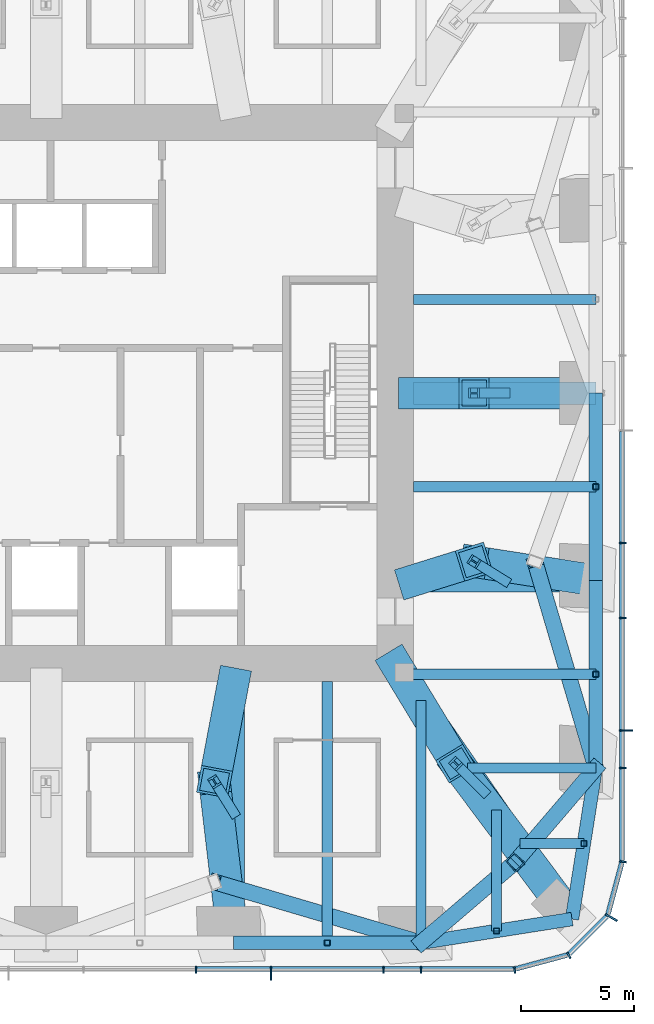
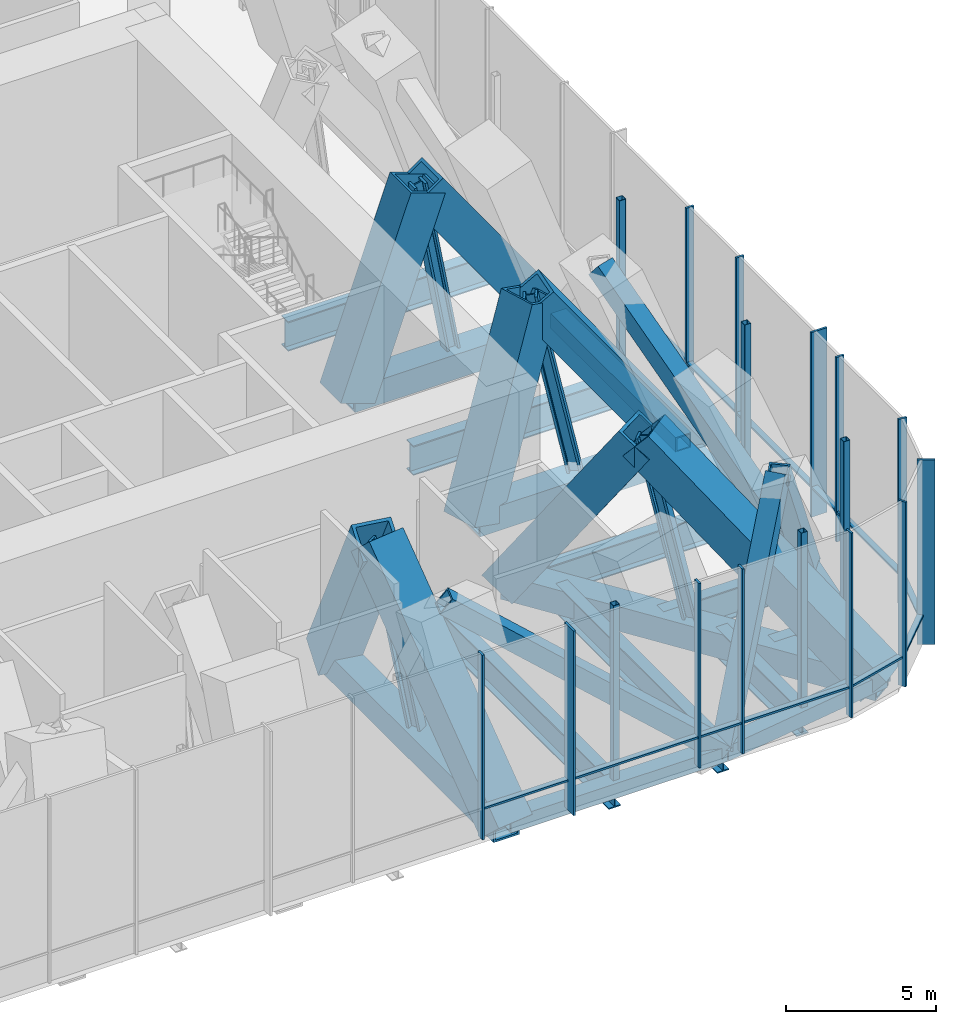
# One storey, part 5 of 16: 54 members, 8 beams, 3 elements without a shape of their own.
"""IFC4 building model written with IfcOpenShell, lengths in metres."""

import ifcopenshell
import ifcopenshell.guid

model = None  # the IFC model being written
_history = None  # IfcOwnerHistory: only IFC2X3 demands one
_inside = {}  # id of a spatial element -> (the spatial element, [elements in it])
_under = {}  # id of a project, library or spatial element -> (it, [spatial elements below it])
_declared = {}  # id of a project -> (the project, [libraries it declares])
_typed = {}  # id of a type object -> (the type object, [elements of that type])
_made_of = {}  # id of a material, layer set ... -> (it, [elements and type objects made of it])


def new_model(schema):
    """Start an empty IFC model of exactly this schema.

    Asked for "IFC4X3", IfcOpenShell would pick the latest addendum, in which some entities
    have other attributes; the version numbers below select the first issue.
    IFC2X3 requires an IfcOwnerHistory on every rooted entity: one is made here for all.
    """
    global model, _history
    if schema == "IFC4X3":
        model = ifcopenshell.file(schema_version=(4, 3, 0, 0))
    else:
        model = ifcopenshell.file(schema=schema)
    _inside.clear()
    _under.clear()
    _declared.clear()
    _typed.clear()
    _made_of.clear()
    _history = None
    if model.schema == "IFC2X3":
        org = make("IfcOrganization", Name="unknown")
        user = make(
            "IfcPersonAndOrganization",
            ThePerson=make("IfcPerson", FamilyName="unknown"),
            TheOrganization=org,
        )
        app = make(
            "IfcApplication",
            ApplicationDeveloper=org,
            Version="unknown",
            ApplicationFullName="unknown",
            ApplicationIdentifier="unknown",
        )
        _history = make(
            "IfcOwnerHistory",
            OwningUser=user,
            OwningApplication=app,
            ChangeAction="ADDED",
            CreationDate=0,
        )
    return model


def make(cls, **values):
    """One entity of the class cls with the attributes given. An attribute that is None is left unset."""
    return model.create_entity(
        cls, **{name: value for name, value in values.items() if value is not None}
    )


def rooted(cls, **values):
    """An entity with a GlobalId (a new one), such as an element, a storey or a relation."""
    return make(cls, GlobalId=ifcopenshell.guid.new(), OwnerHistory=_history, **values)


def si_unit(unit_type, name, prefix=None):
    """IfcSIUnit, for example si_unit("LENGTHUNIT", "METRE", prefix="MILLI")."""
    return make("IfcSIUnit", UnitType=unit_type, Prefix=prefix, Name=name)


def assignment(units):
    """IfcUnitAssignment: the units of a project."""
    return None if units is None else make("IfcUnitAssignment", Units=units)


def point(xyz):
    """IfcCartesianPoint."""
    return None if xyz is None else make("IfcCartesianPoint", Coordinates=xyz)


def direction(xyz):
    """IfcDirection."""
    return None if xyz is None else make("IfcDirection", DirectionRatios=xyz)


def frame(location, z_axis=None, x_axis=None):
    """IfcAxis2Placement3D, a coordinate frame: its origin and axes. An axis left out is left unset."""
    return make(
        "IfcAxis2Placement3D",
        Location=point(location),
        Axis=direction(z_axis),
        RefDirection=direction(x_axis),
    )


def frame_2d(location, x_axis=None):
    """IfcAxis2Placement2D, a coordinate frame in the plane: its origin and x axis."""
    return make(
        "IfcAxis2Placement2D", Location=point(location), RefDirection=direction(x_axis)
    )


def origin():
    """The frame at (0, 0, 0) with its axes left unset."""
    return frame((0.0, 0.0, 0.0))


def origin_2d():
    """The frame at (0, 0) in the plane with its x axis left unset."""
    return frame_2d((0.0, 0.0))


def place(relative_to, where):
    """IfcLocalPlacement: puts the frame where relative to a parent placement (None: the world)."""
    return make(
        "IfcLocalPlacement", PlacementRelTo=relative_to, RelativePlacement=where
    )


def context(
    kind, dimensions, precision=None, world=None, true_north=None, identifier=None
):
    """IfcGeometricRepresentationContext, for example the 3D "Model" context."""
    return make(
        "IfcGeometricRepresentationContext",
        ContextIdentifier=identifier,
        ContextType=kind,
        CoordinateSpaceDimension=dimensions,
        Precision=precision,
        WorldCoordinateSystem=world,
        TrueNorth=true_north,
    )


def subcontext(parent, identifier, kind, view, scale=None):
    """IfcGeometricRepresentationSubContext, for example "Body" below "Model"."""
    return make(
        "IfcGeometricRepresentationSubContext",
        ContextIdentifier=identifier,
        ContextType=kind,
        ParentContext=parent,
        TargetScale=scale,
        TargetView=view,
    )


def project(units=None, contexts=None):
    """IfcProject with its units and contexts."""
    return rooted(
        "IfcProject",
        Name="project",
        RepresentationContexts=contexts,
        UnitsInContext=assignment(units),
    )


def spatial(cls, under=None, at=None, **own):
    """A site, building, storey or space (cls), placed at a placement, below another one or the project."""
    s = rooted(cls, ObjectPlacement=at, **own)
    if under is not None:
        _under.setdefault(under.id(), (under, []))[1].append(s)
    return s


def profile(cls, at=None, kind="AREA", **sizes):
    """A parametric profile (cls). Its sizes go by their IFC names, for example OverallWidth=200.0."""
    return make(cls, ProfileType=kind, Position=at, **sizes)


def rectangle(**sizes):
    """IfcRectangleProfileDef."""
    return profile("IfcRectangleProfileDef", **sizes)


def hollow_rectangle(**sizes):
    """IfcRectangleHollowProfileDef."""
    return profile("IfcRectangleHollowProfileDef", **sizes)


def i_section(**sizes):
    """IfcIShapeProfileDef."""
    return profile("IfcIShapeProfileDef", **sizes)


def extrude(swept, where, along, depth):
    """IfcExtrudedAreaSolid: the profile swept, set in the frame where, extruded along a direction by depth."""
    return make(
        "IfcExtrudedAreaSolid",
        SweptArea=swept,
        Position=where,
        ExtrudedDirection=direction(along),
        Depth=depth,
    )


def shape(context_of_items, identifier, shape_type, items):
    """IfcShapeRepresentation: the items that make up one representation, for example the "Body"."""
    return make(
        "IfcShapeRepresentation",
        ContextOfItems=context_of_items,
        RepresentationIdentifier=identifier,
        RepresentationType=shape_type,
        Items=items,
    )


def material(Name=None, Category=None):
    """IfcMaterial."""
    return make("IfcMaterial", Name=Name, Category=Category)


def material_profile(
    of_material, cross_section, Name=None, Category=None, Priority=None
):
    """IfcMaterialProfile: a cross section and its material."""
    return make(
        "IfcMaterialProfile",
        Name=Name,
        Material=of_material,
        Profile=cross_section,
        Priority=Priority,
        Category=Category,
    )


def profile_set(profiles, Name=None, composite=None):
    """IfcMaterialProfileSet."""
    return make(
        "IfcMaterialProfileSet",
        Name=Name,
        MaterialProfiles=profiles,
        CompositeProfile=composite,
    )


def made_of(thing, what):
    """Note that an element or type object is made of a material, layer set ...; save() writes the relation."""
    if what is not None:
        _made_of.setdefault(what.id(), (what, []))[1].append(thing)
    return thing


def type_object(cls, material=None, **own):
    """A type object (cls), such as IfcWallType, which elements share."""
    return made_of(rooted(cls, **own), material)


def element(
    cls,
    number,
    at=None,
    inside=None,
    cuts=None,
    type_object=None,
    material=None,
    context=None,
    identifier="Body",
    shape_type=None,
    held_by="IfcProductDefinitionShape",
    body=None,
    shapes=None,
    **own,
):
    """One element of the class cls, such as IfcWall. Its Tag is "e" and its number.

    at: its placement. inside: the storey or other place that contains it. cuts: it is an
    opening in that element (IfcRelVoidsElement). A single representation is given by context,
    identifier, shape_type and body (its items); several are given by shapes. held_by: the class
    of the entity that holds the representations. save() writes the other relations.
    """
    e = rooted(cls, Tag="e%d" % number, ObjectPlacement=at, **own)
    if body is not None:
        shapes = [shape(context, identifier, shape_type, body)]
    if shapes is not None:
        e.Representation = make(held_by, Representations=shapes)
    if inside is not None:
        _inside.setdefault(inside.id(), (inside, []))[1].append(e)
    if cuts is not None:
        rooted(
            "IfcRelVoidsElement", RelatingBuildingElement=cuts, RelatedOpeningElement=e
        )
    if type_object is not None:
        _typed.setdefault(type_object.id(), (type_object, []))[1].append(e)
    return made_of(e, material)


def aggregate(whole, parts):
    """IfcRelAggregates: a whole, such as a stair, and the parts it consists of."""
    return rooted("IfcRelAggregates", RelatingObject=whole, RelatedObjects=parts)


def save(model, path):
    """Write the relations noted so far, then the file.

    IfcRelAggregates (storeys below a building ...), IfcRelContainedInSpatialStructure (elements
    in a storey), IfcRelDefinesByType, IfcRelAssociatesMaterial and IfcRelDeclares: one each for
    every whole, place, type object, material and project.
    """
    for whole, parts in _under.values():
        aggregate(whole, parts)
    for where, things in _inside.values():
        rooted(
            "IfcRelContainedInSpatialStructure",
            RelatedElements=things,
            RelatingStructure=where,
        )
    for kind, things in _typed.values():
        rooted("IfcRelDefinesByType", RelatedObjects=things, RelatingType=kind)
    for what, things in _made_of.values():
        rooted("IfcRelAssociatesMaterial", RelatedObjects=things, RelatingMaterial=what)
    for by, libraries in _declared.values():
        rooted("IfcRelDeclares", RelatingContext=by, RelatedDefinitions=libraries)
    model.write(path)


model = new_model("IFC4")

# Units and contexts
model_context = context("Model", 3, precision=1e-05, world=origin(), true_north=direction((0.0, 1.0)))
body_context = subcontext(model_context, "Body", "Model", "MODEL_VIEW")
ifc_project = project(units=[si_unit("LENGTHUNIT", "METRE"), si_unit("AREAUNIT", "SQUARE_METRE"), si_unit("VOLUMEUNIT", "CUBIC_METRE"), si_unit("PLANEANGLEUNIT", "RADIAN"), si_unit("MASSUNIT", "GRAM", prefix="KILO")], contexts=[model_context])

# Site, building, storey
site_placement = place(None, origin())
site = spatial("IfcSite", under=ifc_project, at=site_placement, CompositionType="ELEMENT")
building_placement = place(site_placement, origin())
building = spatial("IfcBuilding", under=site, at=building_placement, Name="Khuree Lantern Residences", CompositionType="ELEMENT")
storey_placement = place(building_placement, frame((0.0, 0.0, 278.25)))
storey = spatial("IfcBuildingStorey", under=building, at=storey_placement, Name="L70", CompositionType="ELEMENT", Elevation=278.25)

# Beams
ifc_material_1 = material(Name="Steel S355", Category="steel")
ifc_material_profile_1 = material_profile(ifc_material_1, i_section(OverallWidth=0.449951171875, OverallDepth=1.199951171875, WebThickness=0.02490234375, FlangeThickness=0.044921875, at=origin_2d()), Name="WELDED I 1200X450X25X45")
ifc_profile_set_1 = profile_set([ifc_material_profile_1], Name="Steel S355")
beam_type_1 = type_object("IfcBeamType", Name="B-70 SECONDARY BEAM WELDED I 1200X450X25X45", PredefinedType="BEAM", material=ifc_profile_set_1)
for number, where, z_axis, x_axis, name in (
    (1, (24.39990234375, 4.159912109375, -0.949951171875), (-1.0, 0.0, 0.0), (0.0, -1.0, 0.0), "Secondary beam E3"),
    (2, (24.39990234375, -4.159912109375, -0.949951171875), (-1.0, 0.0, 0.0), (0.0, -1.0, 0.0), "Secondary beam E4"),
):
    element("IfcBeam", number, at=place(storey_placement, frame(where, z_axis=z_axis, x_axis=x_axis)), inside=storey, type_object=beam_type_1, Name=name, PredefinedType="BEAM", context=body_context, shape_type="SweptSolid", body=[
        extrude(i_section(OverallWidth=0.449951171875, OverallDepth=1.199951171875, WebThickness=0.02490234375, FlangeThickness=0.044921875, at=origin_2d()), origin(), (0.0, 0.0, 1.0), 8.099853515625),
    ])
beam_1_placement = place(storey_placement, frame((24.39990234375, -12.47998046875, -0.949951171875), z_axis=(-1.0, 0.0, 0.0), x_axis=(0.0, -1.0, 0.0)))
element("IfcBeam", 3, at=beam_1_placement, inside=storey, type_object=beam_type_1, Name="Secondary beam E5", PredefinedType="BEAM", context=body_context, shape_type="SweptSolid", body=[
    extrude(i_section(OverallWidth=0.449951171875, OverallDepth=1.199951171875, WebThickness=0.02490234375, FlangeThickness=0.044921875, at=origin_2d()), origin(), (0.0, 0.0, 1.0), 8.56787109375),
])
beam_2_placement = place(storey_placement, frame((23.872802734375, -19.992919921875, -0.949951171875), z_axis=(-1.0, 0.0, 0.0), x_axis=(0.0, -1.0, 0.0)))
element("IfcBeam", 4, at=beam_2_placement, inside=storey, type_object=beam_type_1, Name="Secondary beam E6", PredefinedType="BEAM", context=body_context, shape_type="SweptSolid", body=[
    extrude(i_section(OverallWidth=0.449951171875, OverallDepth=1.199951171875, WebThickness=0.02490234375, FlangeThickness=0.044921875, at=origin_2d()), origin(), (0.0, 0.0, 1.0), 2.845703125),
])
beam_3_placement = place(storey_placement, frame((19.992919921875, -23.872802734375, -0.949951171875), z_axis=(0.0, 1.0, 0.0), x_axis=(-1.0, 0.0, 0.0)))
element("IfcBeam", 5, at=beam_3_placement, inside=storey, type_object=beam_type_1, Name="Secondary beam S1", PredefinedType="BEAM", context=body_context, shape_type="SweptSolid", body=[
    extrude(i_section(OverallWidth=0.449951171875, OverallDepth=1.199951171875, WebThickness=0.02490234375, FlangeThickness=0.044921875, at=origin_2d()), origin(), (0.0, 0.0, 1.0), 5.375732421875),
])
beam_4_placement = place(storey_placement, frame((12.47998046875, -24.39990234375, -0.949951171875), z_axis=(0.0, 1.0, 0.0), x_axis=(-1.0, 0.0, 0.0)))
element("IfcBeam", 6, at=beam_4_placement, inside=storey, type_object=beam_type_1, Name="Secondary beam S2", PredefinedType="BEAM", context=body_context, shape_type="SweptSolid", body=[
    extrude(i_section(OverallWidth=0.449951171875, OverallDepth=1.199951171875, WebThickness=0.02490234375, FlangeThickness=0.044921875, at=origin_2d()), origin(), (0.0, 0.0, 1.0), 11.599853515625),
])

# Members
ifc_material_profile_2 = material_profile(ifc_material_1, hollow_rectangle(XDim=0.699951171875, YDim=0.699951171875, WallThickness=0.06005859375, at=origin_2d()), Name="WELDED BOX 700X700X60")
ifc_profile_set_2 = profile_set([ifc_material_profile_2], Name="Steel S355")
member_type_1 = type_object("IfcMemberType", Name="BD-70 BELT TRUSS DIAGONAL WELDED BOX 700X700X60", PredefinedType="BRACE", material=ifc_profile_set_2)
member_1_placement = place(storey_placement, frame((21.699951171875, -7.47998046875, 6.949951171875), z_axis=(0.22122462626, -0.750531400006, -0.622705614509), x_axis=(0.959199239774, 0.282731000098, 0.0)))
element("IfcMember", 7, at=member_1_placement, inside=storey, type_object=member_type_1, Name="Belt truss diagonal E5", PredefinedType="BRACE", context=body_context, shape_type="SweptSolid", body=[
    extrude(hollow_rectangle(XDim=0.699951171875, YDim=0.699951171875, WallThickness=0.06005859375, at=origin_2d()), origin(), (0.0, 0.0, 1.0), 12.20458984375),
])
for number, where, z_axis, x_axis, name in (
    (8, (24.39990234375, -16.639892578125, -0.64990234375), (-0.381376760099, -0.445616030169, 0.809924762254), (0.759744864678, -0.650221301247, 0.0), "Belt truss diagonal E6"),
    (9, (20.8212890625, -20.8212890625, 6.949951171875), (-0.445616030169, -0.381376760099, -0.809924762254), (0.650221301247, -0.759744864678, 0.0), "Belt truss diagonal S1"),
):
    element("IfcMember", number, at=place(storey_placement, frame(where, z_axis=z_axis, x_axis=x_axis)), inside=storey, type_object=member_type_1, Name=name, PredefinedType="BRACE", context=body_context, shape_type="SweptSolid", body=[
        extrude(hollow_rectangle(XDim=0.699951171875, YDim=0.699951171875, WallThickness=0.06005859375, at=origin_2d()), origin(), (0.0, 0.0, 1.0), 9.38330078125),
    ])
member_2_placement = place(storey_placement, frame((16.639892578125, -24.39990234375, -0.64990234375), z_axis=(-0.750531400006, 0.22122462626, 0.622705614509), x_axis=(-0.282731000098, -0.959199239774, 0.0)))
element("IfcMember", 10, at=member_2_placement, inside=storey, type_object=member_type_1, Name="Belt truss diagonal S2", PredefinedType="BRACE", context=body_context, shape_type="SweptSolid", body=[
    extrude(hollow_rectangle(XDim=0.699951171875, YDim=0.699951171875, WallThickness=0.06005859375, at=origin_2d()), origin(), (0.0, 0.0, 1.0), 12.20458984375),
])
ifc_material_profile_3 = material_profile(ifc_material_1, hollow_rectangle(XDim=0.60009765625, YDim=0.60009765625, WallThickness=0.050048828125, at=origin_2d()), Name="WELDED BOX 600X600X50")
ifc_profile_set_3 = profile_set([ifc_material_profile_3], Name="Steel S355")
member_type_2 = type_object("IfcMemberType", Name="BT-70 BELT TRUSS CHORD WELDED BOX 600X600X50", PredefinedType="CHORD", material=ifc_profile_set_3)
member_3_placement = place(storey_placement, frame((24.39990234375, 0.0, -0.64990234375), z_axis=(0.0, -1.0, 0.0), x_axis=(1.0, 0.0, 0.0)))
element("IfcMember", 11, at=member_3_placement, inside=storey, type_object=member_type_2, Name="Belt truss chord E4", PredefinedType="CHORD", context=body_context, shape_type="SweptSolid", body=[
    extrude(hollow_rectangle(XDim=0.60009765625, YDim=0.60009765625, WallThickness=0.050048828125, at=origin_2d()), origin(), (0.0, 0.0, 1.0), 8.320068359375),
])
member_4_placement = place(storey_placement, frame((24.39990234375, -8.320068359375, -0.64990234375), z_axis=(0.0, -1.0, 0.0), x_axis=(1.0, 0.0, 0.0)))
element("IfcMember", 12, at=member_4_placement, inside=storey, type_object=member_type_2, Name="Belt truss chord E5", PredefinedType="CHORD", context=body_context, shape_type="SweptSolid", body=[
    extrude(hollow_rectangle(XDim=0.60009765625, YDim=0.60009765625, WallThickness=0.050048828125, at=origin_2d()), origin(), (0.0, 0.0, 1.0), 8.31982421875),
])
for number, where, z_axis, x_axis, name in (
    (13, (24.39990234375, -16.639892578125, -0.64990234375), (-0.155299507442, -0.98786743189, 0.0), (0.98786743189, -0.155299507442, 0.0), "Belt truss chord E6"),
    (14, (23.345703125, -23.345703125, -0.64990234375), (-0.98786743189, -0.155299507442, 0.0), (0.155299507442, -0.98786743189, 0.0), "Belt truss chord S1"),
):
    element("IfcMember", number, at=place(storey_placement, frame(where, z_axis=z_axis, x_axis=x_axis)), inside=storey, type_object=member_type_2, Name=name, PredefinedType="CHORD", context=body_context, shape_type="SweptSolid", body=[
        extrude(hollow_rectangle(XDim=0.60009765625, YDim=0.60009765625, WallThickness=0.050048828125, at=origin_2d()), origin(), (0.0, 0.0, 1.0), 6.7880859375),
    ])
member_5_placement = place(storey_placement, frame((16.639892578125, -24.39990234375, -0.64990234375), z_axis=(-1.0, 0.0, 0.0), x_axis=(0.0, -1.0, 0.0)))
element("IfcMember", 15, at=member_5_placement, inside=storey, type_object=member_type_2, Name="Belt truss chord S2", PredefinedType="CHORD", context=body_context, shape_type="SweptSolid", body=[
    extrude(hollow_rectangle(XDim=0.60009765625, YDim=0.60009765625, WallThickness=0.050048828125, at=origin_2d()), origin(), (0.0, 0.0, 1.0), 8.31982421875),
])

# Curtain wall, member
ifc_material_2 = material(Name="Bronze anodised aluminium", Category="aluminium")
curtain_wall_type = type_object("IfcCurtainWallType", Name="CW-G PLANT STOREY LOUVRED CURTAIN WALL", PredefinedType="USERDEFINED", material=ifc_material_2)
curtain_wall_1_placement = place(storey_placement, origin())
curtain_wall_1 = element("IfcCurtainWall", 16, at=curtain_wall_1_placement, inside=storey, type_object=curtain_wall_type, Name="L70 SOUTH-EAST CORNER CURTAIN WALL", ObjectType="Louvred curtain wall", PredefinedType="USERDEFINED")
ifc_material_profile_4 = material_profile(ifc_material_2, rectangle(XDim=0.080078125, YDim=0.60009765625, at=origin_2d()), Name="F2 80X600")
ifc_profile_set_4 = profile_set([ifc_material_profile_4], Name="Bronze anodised aluminium")
member_type_3 = type_object("IfcMemberType", Name="F2 BRONZE FIN MULLION PLANT 80X600", PredefinedType="MULLION", material=ifc_profile_set_4)
member_6_placement = place(storey_placement, frame((25.0869140625, -23.27490234375, 0.0), z_axis=(0.0, 0.0, 1.0), x_axis=(0.499999989586, 0.866025409797, 0.0)))
member_6 = element("IfcMember", 17, at=member_6_placement, type_object=member_type_3, Name="L70 SOUTH-EAST CORNER FIN MULLION 3", PredefinedType="MULLION", context=body_context, shape_type="SweptSolid", body=[
    extrude(rectangle(XDim=0.080078125, YDim=0.60009765625, at=origin_2d()), origin(), (0.0, 0.0, 1.0), 7.5),
])

curtain_wall_2_placement = place(storey_placement, origin())
curtain_wall_2 = element("IfcCurtainWall", 18, at=curtain_wall_2_placement, inside=storey, type_object=curtain_wall_type, Name="L70 EAST FACE CURTAIN WALL", ObjectType="Louvred curtain wall", PredefinedType="USERDEFINED")
member_7_placement = place(storey_placement, frame((25.75, -14.97607421875, 0.0), z_axis=(0.0, 0.0, 1.0), x_axis=(0.0, 1.0, 0.0)))
member_7 = element("IfcMember", 19, at=member_7_placement, type_object=member_type_3, Name="L70 EAST FACE FIN MULLION 6", PredefinedType="MULLION", context=body_context, shape_type="SweptSolid", body=[
    extrude(rectangle(XDim=0.080078125, YDim=0.60009765625, at=origin_2d()), origin(), (0.0, 0.0, 1.0), 7.5),
])

curtain_wall_3_placement = place(storey_placement, origin())
curtain_wall_3 = element("IfcCurtainWall", 20, at=curtain_wall_3_placement, inside=storey, type_object=curtain_wall_type, Name="L70 SOUTH FACE CURTAIN WALL", ObjectType="Louvred curtain wall", PredefinedType="USERDEFINED")
member_8_placement = place(storey_placement, frame((9.98388671875, -25.75, 0.0), z_axis=(0.0, 0.0, 1.0), x_axis=(1.0, 0.0, 0.0)))
member_8 = element("IfcMember", 21, at=member_8_placement, type_object=member_type_3, Name="L70 SOUTH FACE FIN MULLION 54", PredefinedType="MULLION", context=body_context, shape_type="SweptSolid", body=[
    extrude(rectangle(XDim=0.080078125, YDim=0.60009765625, at=origin_2d()), origin(), (0.0, 0.0, 1.0), 7.5),
])

# Beams
ifc_material_profile_5 = material_profile(ifc_material_1, i_section(OverallWidth=0.449951171875, OverallDepth=1.199951171875, WebThickness=0.02490234375, FlangeThickness=0.044921875, at=origin_2d()), Name="WELDED I 1200X450X25X45")
ifc_profile_set_5 = profile_set([ifc_material_profile_5], Name="Steel S355")
beam_type_2 = type_object("IfcBeamType", Name="G-70 GIRDER WELDED I 1200X450X25X45", PredefinedType="BEAM", material=ifc_profile_set_5)
beam_5_placement = place(storey_placement, frame((24.39990234375, -16.639892578125, -0.949951171875), z_axis=(-1.0, 0.0, 0.0), x_axis=(0.0, -1.0, 0.0)))
element("IfcBeam", 22, at=beam_5_placement, inside=storey, type_object=beam_type_2, Name="Girder E5", PredefinedType="BEAM", context=body_context, shape_type="SweptSolid", body=[
    extrude(i_section(OverallWidth=0.449951171875, OverallDepth=1.199951171875, WebThickness=0.02490234375, FlangeThickness=0.044921875, at=origin_2d()), origin(), (0.0, 0.0, 1.0), 5.69140625),
])
beam_6_placement = place(storey_placement, frame((16.639892578125, -24.39990234375, -0.949951171875), z_axis=(0.0, 1.0, 0.0), x_axis=(-1.0, 0.0, 0.0)))
element("IfcBeam", 23, at=beam_6_placement, inside=storey, type_object=beam_type_2, Name="Girder S1", PredefinedType="BEAM", context=body_context, shape_type="SweptSolid", body=[
    extrude(i_section(OverallWidth=0.449951171875, OverallDepth=1.199951171875, WebThickness=0.02490234375, FlangeThickness=0.044921875, at=origin_2d()), origin(), (0.0, 0.0, 1.0), 10.751220703125),
])

# Member
ifc_material_profile_6 = material_profile(ifc_material_2, rectangle(XDim=0.080078125, YDim=0.300048828125, at=origin_2d()), Name="M2 80X300")
ifc_profile_set_6 = profile_set([ifc_material_profile_6], Name="Bronze anodised aluminium")
member_type_4 = type_object("IfcMemberType", Name="MULLION M2 PLANT 80X300", PredefinedType="MULLION", material=ifc_profile_set_6)
member_9_placement = place(storey_placement, frame((20.80029296875, -25.601318359375, 0.0), z_axis=(0.0, 0.0, 1.0), x_axis=(0.991444862943, 0.130526180298, 0.0)))
member_9 = element("IfcMember", 24, at=member_9_placement, type_object=member_type_4, Name="L70 SOUTH-EAST CORNER MULLION 1", PredefinedType="MULLION", context=body_context, shape_type="SweptSolid", body=[
    extrude(rectangle(XDim=0.080078125, YDim=0.300048828125, at=origin_2d()), origin(), (0.0, 0.0, 1.0), 7.5),
])

member_10_placement = place(storey_placement, frame((23.199951171875, -24.95703125, 0.0), z_axis=(0.0, 0.0, 1.0), x_axis=(0.866025409797, 0.499999989586, 0.0)))
member_10 = element("IfcMember", 25, at=member_10_placement, type_object=member_type_4, Name="L70 SOUTH-EAST CORNER MULLION 2", PredefinedType="MULLION", context=body_context, shape_type="SweptSolid", body=[
    extrude(rectangle(XDim=0.080078125, YDim=0.300048828125, at=origin_2d()), origin(), (0.0, 0.0, 1.0), 7.5),
])

member_11_placement = place(storey_placement, frame((25.601318359375, -20.80029296875, 0.0), z_axis=(0.0, 0.0, 1.0), x_axis=(0.130526180298, 0.991444862943, 0.0)))
member_11 = element("IfcMember", 26, at=member_11_placement, type_object=member_type_4, Name="L70 EAST FACE MULLION 4", PredefinedType="MULLION", context=body_context, shape_type="SweptSolid", body=[
    extrude(rectangle(XDim=0.080078125, YDim=0.300048828125, at=origin_2d()), origin(), (0.0, 0.0, 1.0), 7.5),
])

member_12_placement = place(storey_placement, frame((25.60009765625, -16.639892578125, 0.0), z_axis=(0.0, 0.0, 1.0), x_axis=(0.0, 1.0, 0.0)))
member_12 = element("IfcMember", 27, at=member_12_placement, type_object=member_type_4, Name="L70 EAST FACE MULLION 5", PredefinedType="MULLION", context=body_context, shape_type="SweptSolid", body=[
    extrude(rectangle(XDim=0.080078125, YDim=0.300048828125, at=origin_2d()), origin(), (0.0, 0.0, 1.0), 7.5),
])

member_13_placement = place(storey_placement, frame((25.60009765625, -9.98388671875, 0.0), z_axis=(0.0, 0.0, 1.0), x_axis=(0.0, 1.0, 0.0)))
member_13 = element("IfcMember", 28, at=member_13_placement, type_object=member_type_4, Name="L70 EAST FACE MULLION 7", PredefinedType="MULLION", context=body_context, shape_type="SweptSolid", body=[
    extrude(rectangle(XDim=0.080078125, YDim=0.300048828125, at=origin_2d()), origin(), (0.0, 0.0, 1.0), 7.5),
])

member_14_placement = place(storey_placement, frame((25.60009765625, -6.656005859375, 0.0), z_axis=(0.0, 0.0, 1.0), x_axis=(0.0, 1.0, 0.0)))
member_14 = element("IfcMember", 29, at=member_14_placement, type_object=member_type_4, Name="L70 EAST FACE MULLION 8", PredefinedType="MULLION", context=body_context, shape_type="SweptSolid", body=[
    extrude(rectangle(XDim=0.080078125, YDim=0.300048828125, at=origin_2d()), origin(), (0.0, 0.0, 1.0), 7.5),
])

member_15_placement = place(storey_placement, frame((6.656005859375, -25.60009765625, 0.0), z_axis=(0.0, 0.0, 1.0), x_axis=(1.0, 0.0, 0.0)))
member_15 = element("IfcMember", 30, at=member_15_placement, type_object=member_type_4, Name="L70 SOUTH FACE MULLION 53", PredefinedType="MULLION", context=body_context, shape_type="SweptSolid", body=[
    extrude(rectangle(XDim=0.080078125, YDim=0.300048828125, at=origin_2d()), origin(), (0.0, 0.0, 1.0), 7.5),
])

member_16_placement = place(storey_placement, frame((14.97607421875, -25.60009765625, 0.0), z_axis=(0.0, 0.0, 1.0), x_axis=(1.0, 0.0, 0.0)))
member_16 = element("IfcMember", 31, at=member_16_placement, type_object=member_type_4, Name="L70 SOUTH FACE MULLION 55", PredefinedType="MULLION", context=body_context, shape_type="SweptSolid", body=[
    extrude(rectangle(XDim=0.080078125, YDim=0.300048828125, at=origin_2d()), origin(), (0.0, 0.0, 1.0), 7.5),
])

member_17_placement = place(storey_placement, frame((16.639892578125, -25.60009765625, 0.0), z_axis=(0.0, 0.0, 1.0), x_axis=(1.0, 0.0, 0.0)))
member_17 = element("IfcMember", 32, at=member_17_placement, type_object=member_type_4, Name="L70 SOUTH FACE MULLION 56", PredefinedType="MULLION", context=body_context, shape_type="SweptSolid", body=[
    extrude(rectangle(XDim=0.080078125, YDim=0.300048828125, at=origin_2d()), origin(), (0.0, 0.0, 1.0), 7.5),
])

# Members
ifc_material_profile_7 = material_profile(ifc_material_1, hollow_rectangle(XDim=1.39990234375, YDim=1.39990234375, WallThickness=0.1201171875, at=origin_2d()), Name="WELDED BOX 1400X1400X120")
ifc_profile_set_7 = profile_set([ifc_material_profile_7], Name="Steel S355")
member_type_5 = type_object("IfcMemberType", Name="OD-70 OUTRIGGER TRUSS DIAGONAL WELDED BOX 1400X1400X120", PredefinedType="BRACE", material=ifc_profile_set_7)
member_18_placement = place(storey_placement, frame((15.5, -12.0, -0.85009765625), z_axis=(0.292591683505, -0.482667556929, 0.825482971497), x_axis=(0.855146082059, 0.518387093146, 0.0)))
element("IfcMember", 33, at=member_18_placement, inside=storey, type_object=member_type_5, Name="Outrigger diagonal SE core side", PredefinedType="BRACE", context=body_context, shape_type="SweptSolid", body=[
    extrude(hollow_rectangle(XDim=1.39990234375, YDim=1.39990234375, WallThickness=0.1201171875, at=origin_2d()), origin(), (0.0, 0.0, 1.0), 9.206787109375),
])
member_19_placement = place(storey_placement, frame((18.19384765625, -16.44384765625, 6.75), z_axis=(0.448515604261, -0.600868928654, -0.661657224938), x_axis=(0.801365374219, 0.598175172507, 0.0)))
element("IfcMember", 34, at=member_19_placement, inside=storey, type_object=member_type_5, Name="Outrigger diagonal SE column side", PredefinedType="BRACE", context=body_context, shape_type="SweptSolid", body=[
    extrude(hollow_rectangle(XDim=1.39990234375, YDim=1.39990234375, WallThickness=0.1201171875, at=origin_2d()), origin(), (0.0, 0.0, 1.0), 11.486572265625),
])
member_20_placement = place(storey_placement, frame((16.300048828125, 0.0, -0.85009765625), z_axis=(0.334755857332, 0.0, 0.942304895446), x_axis=(0.0, 1.0, 0.0)))
element("IfcMember", 35, at=member_20_placement, inside=storey, type_object=member_type_5, Name="Outrigger diagonal E3 core side", PredefinedType="BRACE", context=body_context, shape_type="SweptSolid", body=[
    extrude(hollow_rectangle(XDim=1.39990234375, YDim=1.39990234375, WallThickness=0.1201171875, at=origin_2d()), origin(), (0.0, 0.0, 1.0), 8.0654296875),
])
member_21_placement = place(storey_placement, frame((19.0, 0.0, 6.75), z_axis=(0.579195225841, 0.0, -0.815188867909), x_axis=(0.0, 1.0, 0.0)))
element("IfcMember", 36, at=member_21_placement, inside=storey, type_object=member_type_5, Name="Outrigger diagonal E3 column side", PredefinedType="BRACE", context=body_context, shape_type="SweptSolid", body=[
    extrude(hollow_rectangle(XDim=1.39990234375, YDim=1.39990234375, WallThickness=0.1201171875, at=origin_2d()), origin(), (0.0, 0.0, 1.0), 9.322998046875),
])
member_22_placement = place(storey_placement, frame((16.300048828125, -8.320068359375, -0.85009765625), z_axis=(0.332954599598, 0.103598587324, 0.937234531647), x_axis=(-0.297099790483, 0.954846435033, 0.0)))
element("IfcMember", 37, at=member_22_placement, inside=storey, type_object=member_type_5, Name="Outrigger diagonal E4 core side", PredefinedType="BRACE", context=body_context, shape_type="SweptSolid", body=[
    extrude(hollow_rectangle(XDim=1.39990234375, YDim=1.39990234375, WallThickness=0.1201171875, at=origin_2d()), origin(), (0.0, 0.0, 1.0), 8.109130859375),
])
member_23_placement = place(storey_placement, frame((19.0, -7.47998046875, 6.75), z_axis=(0.576858069991, -0.089744489504, -0.8118994357), x_axis=(0.153725423234, 0.98811360392, 0.0)))
element("IfcMember", 38, at=member_23_placement, inside=storey, type_object=member_type_5, Name="Outrigger diagonal E4 column side", PredefinedType="BRACE", context=body_context, shape_type="SweptSolid", body=[
    extrude(hollow_rectangle(XDim=1.39990234375, YDim=1.39990234375, WallThickness=0.1201171875, at=origin_2d()), origin(), (0.0, 0.0, 1.0), 9.36083984375),
])
member_24_placement = place(storey_placement, frame((8.320068359375, -12.800048828125, -0.85009765625), z_axis=(-0.09495744197, -0.502990204822, 0.859059915296), x_axis=(0.982642559949, -0.185509027749, 0.0)))
element("IfcMember", 39, at=member_24_placement, inside=storey, type_object=member_type_5, Name="Outrigger diagonal S2 core side", PredefinedType="BRACE", context=body_context, shape_type="SweptSolid", body=[
    extrude(hollow_rectangle(XDim=1.39990234375, YDim=1.39990234375, WallThickness=0.1201171875, at=origin_2d()), origin(), (0.0, 0.0, 1.0), 8.846923828125),
])
member_25_placement = place(storey_placement, frame((7.47998046875, -17.25, 6.75), z_axis=(0.080249541393, -0.682995660919, -0.726000646193), x_axis=(0.99316795482, 0.116693673856, 0.0)))
element("IfcMember", 40, at=member_25_placement, inside=storey, type_object=member_type_5, Name="Outrigger diagonal S2 column side", PredefinedType="BRACE", context=body_context, shape_type="SweptSolid", body=[
    extrude(hollow_rectangle(XDim=1.39990234375, YDim=1.39990234375, WallThickness=0.1201171875, at=origin_2d()), origin(), (0.0, 0.0, 1.0), 10.468505859375),
])
ifc_material_profile_8 = material_profile(ifc_material_1, i_section(OverallWidth=0.431884765625, OverallDepth=0.498046875, WebThickness=0.0556640625, FlangeThickness=0.0888671875, FilletRadius=0.014892578125, at=origin_2d()), Name="HD 400X744")
ifc_profile_set_8 = profile_set([ifc_material_profile_8], Name="Steel S355")
member_type_6 = type_object("IfcMemberType", Name="OP-70 OUTRIGGER TRUSS POST HD 400X744", PredefinedType="POST", material=ifc_profile_set_8)
member_26_placement = place(storey_placement, frame((19.4228515625, -17.6728515625, -0.85009765625), z_axis=(-0.157639261852, 0.157639261852, 0.974833178675), x_axis=(-0.707106781187, -0.707106781187, 0.0)))
element("IfcMember", 41, at=member_26_placement, inside=storey, type_object=member_type_6, Name="Outrigger post SE", PredefinedType="POST", context=body_context, shape_type="SweptSolid", body=[
    extrude(i_section(OverallWidth=0.431884765625, OverallDepth=0.498046875, WebThickness=0.0556640625, FlangeThickness=0.0888671875, FilletRadius=0.014892578125, at=origin_2d()), origin(), (0.0, 0.0, 1.0), 7.79638671875),
])
member_27_placement = place(storey_placement, frame((20.35009765625, 0.0, -0.85009765625), z_axis=(-0.174903883222, 0.0, 0.984585512606), x_axis=(0.0, -1.0, 0.0)))
element("IfcMember", 42, at=member_27_placement, inside=storey, type_object=member_type_6, Name="Outrigger post E3", PredefinedType="POST", context=body_context, shape_type="SweptSolid", body=[
    extrude(i_section(OverallWidth=0.431884765625, OverallDepth=0.498046875, WebThickness=0.0556640625, FlangeThickness=0.0888671875, FilletRadius=0.014892578125, at=origin_2d()), origin(), (0.0, 0.0, 1.0), 7.718994140625),
])
for number, where, z_axis, x_axis, name in (
    (43, (20.35009765625, -8.320068359375, -0.85009765625), (-0.173877167487, 0.108193731161, 0.9788058271), (-0.528314184847, -0.849048951527, 0.0), "Outrigger post E4"),
    (44, (8.320068359375, -18.60009765625, -0.85009765625), (-0.108193731161, 0.173877167487, 0.9788058271), (-0.849048951527, -0.528314184847, 0.0), "Outrigger post S2"),
):
    element("IfcMember", number, at=place(storey_placement, frame(where, z_axis=z_axis, x_axis=x_axis)), inside=storey, type_object=member_type_6, Name=name, PredefinedType="POST", context=body_context, shape_type="SweptSolid", body=[
        extrude(i_section(OverallWidth=0.431884765625, OverallDepth=0.498046875, WebThickness=0.0556640625, FlangeThickness=0.0888671875, FilletRadius=0.014892578125, at=origin_2d()), origin(), (0.0, 0.0, 1.0), 7.7646484375),
    ])
ifc_material_profile_9 = material_profile(ifc_material_1, hollow_rectangle(XDim=1.0, YDim=1.0, WallThickness=0.080078125, at=origin_2d()), Name="WELDED BOX 1000X1000X80")
ifc_profile_set_9 = profile_set([ifc_material_profile_9], Name="Steel S355")
member_type_7 = type_object("IfcMemberType", Name="OT-70 OUTRIGGER TRUSS CHORD WELDED BOX 1000X1000X80", PredefinedType="CHORD", material=ifc_profile_set_9)
for number, where, z_axis, x_axis, name in (
    (45, (24.39990234375, 0.0, -0.85009765625), (-1.0, 0.0, 0.0), (0.0, -1.0, 0.0), "Outrigger chord E3"),
    (46, (24.39990234375, -8.320068359375, -0.85009765625), (-1.0, 0.0, 0.0), (0.0, -1.0, 0.0), "Outrigger chord E4"),
):
    element("IfcMember", number, at=place(storey_placement, frame(where, z_axis=z_axis, x_axis=x_axis)), inside=storey, type_object=member_type_7, Name=name, PredefinedType="CHORD", context=body_context, shape_type="SweptSolid", body=[
        extrude(hollow_rectangle(XDim=1.0, YDim=1.0, WallThickness=0.080078125, at=origin_2d()), origin(), (0.0, 0.0, 1.0), 8.099853515625),
    ])
member_28_placement = place(storey_placement, frame((8.320068359375, -24.39990234375, -0.85009765625), z_axis=(0.0, 1.0, 0.0), x_axis=(-1.0, 0.0, 0.0)))
element("IfcMember", 47, at=member_28_placement, inside=storey, type_object=member_type_7, Name="Outrigger chord S2", PredefinedType="CHORD", context=body_context, shape_type="SweptSolid", body=[
    extrude(hollow_rectangle(XDim=1.0, YDim=1.0, WallThickness=0.080078125, at=origin_2d()), origin(), (0.0, 0.0, 1.0), 11.599853515625),
])
member_29_placement = place(storey_placement, frame((23.345703125, -23.345703125, -0.85009765625), z_axis=(-0.56876813501, 0.822497907959, 0.0), x_axis=(-0.822497907959, -0.56876813501, 0.0)))
element("IfcMember", 48, at=member_29_placement, inside=storey, type_object=member_type_7, Name="Outrigger chord SE", PredefinedType="CHORD", context=body_context, shape_type="SweptSolid", body=[
    extrude(hollow_rectangle(XDim=1.0, YDim=1.0, WallThickness=0.080078125, at=origin_2d()), origin(), (0.0, 0.0, 1.0), 13.794189453125),
])
ifc_material_profile_10 = material_profile(ifc_material_1, hollow_rectangle(XDim=0.25, YDim=0.25, WallThickness=0.012451171875, InnerFilletRadius=0.012451171875, OuterFilletRadius=0.018798828125, at=origin_2d()), Name="SHS 250X250X12.5")
ifc_profile_set_10 = profile_set([ifc_material_profile_10], Name="Steel S355")
member_type_8 = type_object("IfcMemberType", Name="TP1 TERRACE POST SHS 250X250X12.5", PredefinedType="POST", material=ifc_profile_set_10)
for number, where, z_axis, x_axis, name in (
    (49, (24.39990234375, -4.159912109375, -0.35009765625), (0.0, 0.0, 1.0), (1.0, 0.0, 0.0), "Terrace post E4"),
    (50, (24.39990234375, -12.47998046875, -0.35009765625), (0.0, 0.0, 1.0), (1.0, 0.0, 0.0), "Terrace post E5"),
    (51, (23.872802734375, -19.992919921875, -0.35009765625), (0.0, 0.0, 1.0), (1.0, 0.0, 0.0), "Terrace post E6"),
    (52, (19.992919921875, -23.872802734375, -0.35009765625), (0.0, 0.0, 1.0), (1.0, 0.0, 0.0), "Terrace post S1"),
    (53, (12.47998046875, -24.39990234375, -0.35009765625), (0.0, 0.0, 1.0), (1.0, 0.0, 0.0), "Terrace post S2"),
):
    element("IfcMember", number, at=place(storey_placement, frame(where, z_axis=z_axis, x_axis=x_axis)), inside=storey, type_object=member_type_8, Name=name, PredefinedType="POST", context=body_context, shape_type="SweptSolid", body=[
        extrude(hollow_rectangle(XDim=0.25, YDim=0.25, WallThickness=0.012451171875, InnerFilletRadius=0.012451171875, OuterFilletRadius=0.018798828125, at=origin_2d()), origin(), (0.0, 0.0, 1.0), 7.10009765625),
    ])

# Member
ifc_material_profile_11 = material_profile(ifc_material_2, rectangle(XDim=0.219970703125, YDim=0.080078125, at=origin_2d()), Name="T2 220X80")
ifc_profile_set_11 = profile_set([ifc_material_profile_11], Name="Bronze anodised aluminium")
member_type_9 = type_object("IfcMemberType", Name="TRANSOM T2 PLANT 220X80", PredefinedType="USERDEFINED", material=ifc_profile_set_11)
member_30_placement = place(storey_placement, frame((20.84912109375, -25.555908203125, 1.199951171875), z_axis=(0.965913244335, 0.258865997029, 0.0), x_axis=(-0.258865997029, 0.965913244335, 0.0)))
member_30 = element("IfcMember", 54, at=member_30_placement, type_object=member_type_9, Name="L70 SOUTH-EAST CORNER TRANSOM 1.1", ObjectType="Transom", PredefinedType="USERDEFINED", context=body_context, shape_type="SweptSolid", body=[
    extrude(rectangle(XDim=0.219970703125, YDim=0.080078125, at=origin_2d()), origin(), (0.0, 0.0, 1.0), 2.348388671875),
])

member_31_placement = place(storey_placement, frame((23.233642578125, -24.880859375, 1.199951171875), z_axis=(0.707106781187, 0.707106781187, 0.0), x_axis=(-0.707106781187, 0.707106781187, 0.0)))
member_31 = element("IfcMember", 55, at=member_31_placement, type_object=member_type_9, Name="L70 SOUTH-EAST CORNER TRANSOM 2.1", ObjectType="Transom", PredefinedType="USERDEFINED", context=body_context, shape_type="SweptSolid", body=[
    extrude(rectangle(XDim=0.219970703125, YDim=0.080078125, at=origin_2d()), origin(), (0.0, 0.0, 1.0), 2.32958984375),
])

member_32_placement = place(storey_placement, frame((24.947998046875, -23.117431640625, 1.199951171875), z_axis=(0.258865997029, 0.965913244335, 0.0), x_axis=(-0.965913244335, 0.258865997029, 0.0)))
member_32 = element("IfcMember", 56, at=member_32_placement, type_object=member_type_9, Name="L70 SOUTH-EAST CORNER TRANSOM 3.1", ObjectType="Transom", PredefinedType="USERDEFINED", context=body_context, shape_type="SweptSolid", body=[
    extrude(rectangle(XDim=0.219970703125, YDim=0.080078125, at=origin_2d()), origin(), (0.0, 0.0, 1.0), 2.348388671875),
])

aggregate(curtain_wall_1, [member_9, member_10, member_6, member_30, member_31, member_32])

member_33_placement = place(storey_placement, frame((25.570068359375, -20.7412109375, 1.199951171875), z_axis=(0.0, 1.0, 0.0), x_axis=(-1.0, 0.0, 0.0)))
member_33 = element("IfcMember", 57, at=member_33_placement, type_object=member_type_9, Name="L70 EAST FACE TRANSOM 4.1", ObjectType="Transom", PredefinedType="USERDEFINED", context=body_context, shape_type="SweptSolid", body=[
    extrude(rectangle(XDim=0.219970703125, YDim=0.080078125, at=origin_2d()), origin(), (0.0, 0.0, 1.0), 4.061279296875),
])

member_34_placement = place(storey_placement, frame((25.570068359375, -16.60009765625, 1.199951171875), z_axis=(0.0, 1.0, 0.0), x_axis=(-1.0, 0.0, 0.0)))
member_34 = element("IfcMember", 58, at=member_34_placement, type_object=member_type_9, Name="L70 EAST FACE TRANSOM 5.1", ObjectType="Transom", PredefinedType="USERDEFINED", context=body_context, shape_type="SweptSolid", body=[
    extrude(rectangle(XDim=0.219970703125, YDim=0.080078125, at=origin_2d()), origin(), (0.0, 0.0, 1.0), 1.583984375),
])

member_35_placement = place(storey_placement, frame((25.570068359375, -14.93603515625, 1.199951171875), z_axis=(0.0, 1.0, 0.0), x_axis=(-1.0, 0.0, 0.0)))
member_35 = element("IfcMember", 59, at=member_35_placement, type_object=member_type_9, Name="L70 EAST FACE TRANSOM 6.1", ObjectType="Transom", PredefinedType="USERDEFINED", context=body_context, shape_type="SweptSolid", body=[
    extrude(rectangle(XDim=0.219970703125, YDim=0.080078125, at=origin_2d()), origin(), (0.0, 0.0, 1.0), 4.912109375),
])

member_36_placement = place(storey_placement, frame((25.570068359375, -9.944091796875, 1.199951171875), z_axis=(0.0, 1.0, 0.0), x_axis=(-1.0, 0.0, 0.0)))
member_36 = element("IfcMember", 60, at=member_36_placement, type_object=member_type_9, Name="L70 EAST FACE TRANSOM 7.1", ObjectType="Transom", PredefinedType="USERDEFINED", context=body_context, shape_type="SweptSolid", body=[
    extrude(rectangle(XDim=0.219970703125, YDim=0.080078125, at=origin_2d()), origin(), (0.0, 0.0, 1.0), 3.248046875),
])

member_37_placement = place(storey_placement, frame((25.570068359375, -6.615966796875, 1.199951171875), z_axis=(0.0, 1.0, 0.0), x_axis=(-1.0, 0.0, 0.0)))
member_37 = element("IfcMember", 61, at=member_37_placement, type_object=member_type_9, Name="L70 EAST FACE TRANSOM 8.1", ObjectType="Transom", PredefinedType="USERDEFINED", context=body_context, shape_type="SweptSolid", body=[
    extrude(rectangle(XDim=0.219970703125, YDim=0.080078125, at=origin_2d()), origin(), (0.0, 0.0, 1.0), 4.911865234375),
])

aggregate(curtain_wall_2, [member_11, member_12, member_7, member_13, member_14, member_33, member_34, member_35, member_36, member_37])

member_38_placement = place(storey_placement, frame((6.696044921875, -25.570068359375, 1.199951171875), z_axis=(1.0, 0.0, 0.0), x_axis=(0.0, 1.0, 0.0)))
member_38 = element("IfcMember", 62, at=member_38_placement, type_object=member_type_9, Name="L70 SOUTH FACE TRANSOM 53.1", ObjectType="Transom", PredefinedType="USERDEFINED", context=body_context, shape_type="SweptSolid", body=[
    extrude(rectangle(XDim=0.219970703125, YDim=0.080078125, at=origin_2d()), origin(), (0.0, 0.0, 1.0), 3.248046875),
])

member_39_placement = place(storey_placement, frame((10.02392578125, -25.570068359375, 1.199951171875), z_axis=(1.0, 0.0, 0.0), x_axis=(0.0, 1.0, 0.0)))
member_39 = element("IfcMember", 63, at=member_39_placement, type_object=member_type_9, Name="L70 SOUTH FACE TRANSOM 54.1", ObjectType="Transom", PredefinedType="USERDEFINED", context=body_context, shape_type="SweptSolid", body=[
    extrude(rectangle(XDim=0.219970703125, YDim=0.080078125, at=origin_2d()), origin(), (0.0, 0.0, 1.0), 4.912109375),
])

member_40_placement = place(storey_placement, frame((15.01611328125, -25.570068359375, 1.199951171875), z_axis=(1.0, 0.0, 0.0), x_axis=(0.0, 1.0, 0.0)))
member_40 = element("IfcMember", 64, at=member_40_placement, type_object=member_type_9, Name="L70 SOUTH FACE TRANSOM 55.1", ObjectType="Transom", PredefinedType="USERDEFINED", context=body_context, shape_type="SweptSolid", body=[
    extrude(rectangle(XDim=0.219970703125, YDim=0.080078125, at=origin_2d()), origin(), (0.0, 0.0, 1.0), 1.583984375),
])

member_41_placement = place(storey_placement, frame((16.679931640625, -25.570068359375, 1.199951171875), z_axis=(1.0, 0.0, 0.0), x_axis=(0.0, 1.0, 0.0)))
member_41 = element("IfcMember", 65, at=member_41_placement, type_object=member_type_9, Name="L70 SOUTH FACE TRANSOM 56.1", ObjectType="Transom", PredefinedType="USERDEFINED", context=body_context, shape_type="SweptSolid", body=[
    extrude(rectangle(XDim=0.219970703125, YDim=0.080078125, at=origin_2d()), origin(), (0.0, 0.0, 1.0), 4.061279296875),
])

aggregate(curtain_wall_3, [member_15, member_8, member_16, member_17, member_38, member_39, member_40, member_41])

save(model, "model.ifc")
